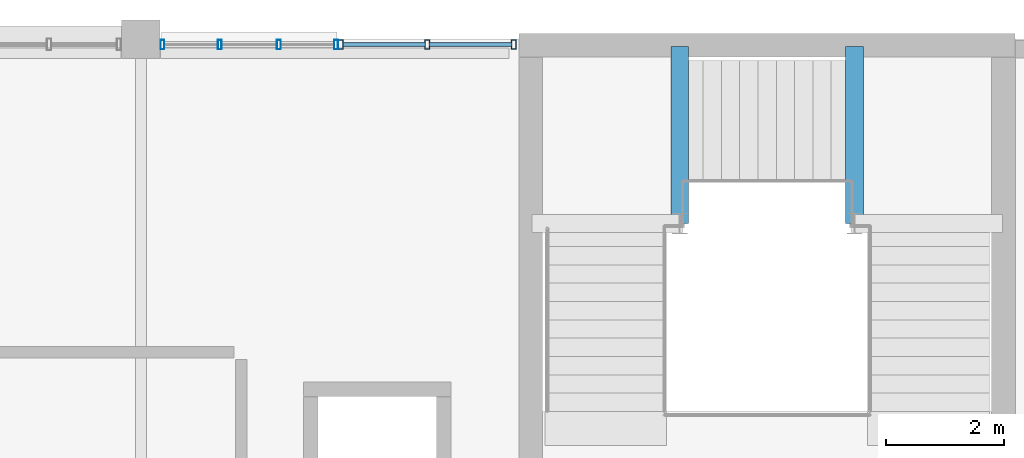
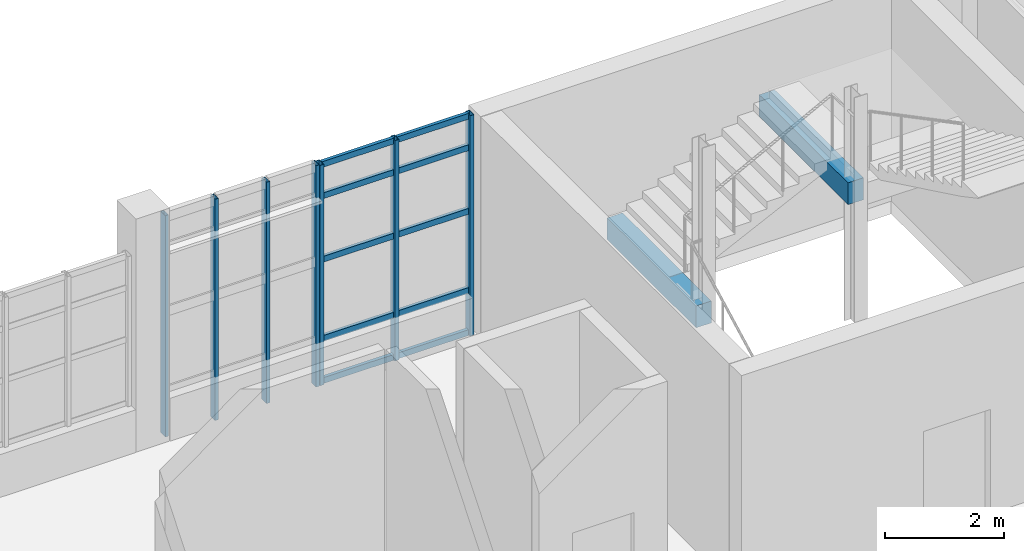
# One storey, part 47 of 100: 17 members, 2 beams, 2 elements without a shape of their own.
"""IFC4 building model written with IfcOpenShell, lengths in metres."""

from ifc_helpers import new_model, si_unit, derived_unit, direction, frame, origin, origin_2d, place, context, subcontext, project, spatial, rectangle, hollow_rectangle, extrude, material, layer, layer_set, material_profile, profile_set, type_object, element, aggregate, save


model = new_model("IFC4")

# Units and contexts
model_context = context("Model", 3, precision=1e-05, world=origin(), true_north=direction((0.0, 1.0)))
body_context = subcontext(model_context, "Body", "Model", "MODEL_VIEW")
ifc_project = project(units=[si_unit("LENGTHUNIT", "METRE"), si_unit("AREAUNIT", "SQUARE_METRE"), si_unit("VOLUMEUNIT", "CUBIC_METRE"), si_unit("PLANEANGLEUNIT", "RADIAN"), si_unit("MASSUNIT", "GRAM", prefix="KILO"), derived_unit("THERMALTRANSMITTANCEUNIT", [(si_unit("POWERUNIT", "WATT"), 1), (si_unit("LENGTHUNIT", "METRE"), -2), (si_unit("THERMODYNAMICTEMPERATUREUNIT", "KELVIN"), -1)])], contexts=[model_context])

# Site, building, storey
site_placement = place(None, origin())
site = spatial("IfcSite", under=ifc_project, at=site_placement, CompositionType="ELEMENT")
building_placement = place(site_placement, origin())
building = spatial("IfcBuilding", under=site, at=building_placement, Name="Nallur Shell Playhouse", CompositionType="ELEMENT")
storey_placement = place(building_placement, frame((0.0, 0.0, 10.199951171875)))
storey = spatial("IfcBuildingStorey", under=building, at=storey_placement, Name="L03", CompositionType="ELEMENT", Elevation=10.199951171875)

# Beams
ifc_material_1 = material(Name="Concrete M35", Category="concrete")
ifc_material_profile_1 = material_profile(ifc_material_1, rectangle(XDim=0.300048828125, YDim=0.449951171875, at=origin_2d()), Name="RC 300x450")
ifc_profile_set_1 = profile_set([ifc_material_profile_1], Name="Concrete M35")
beam_type = type_object("IfcBeamType", Name="BM-SPN-300x450", PredefinedType="SPANDREL", material=ifc_profile_set_1)
for number, where, z_axis, x_axis, name in (
    (1, (57.1201171875, 79.8798828125, 1.22509765625), (0.0, 1.0, 0.0), (-1.0, 0.0, 0.0), "Stair ST-03-L03 L1 east bearer beam"),
    (2, (60.080078125, 79.8798828125, 2.72509765625), (0.0, 1.0, 0.0), (-1.0, 0.0, 0.0), "Stair ST-03-L03 L2 west bearer beam"),
):
    element("IfcBeam", number, at=place(storey_placement, frame(where, z_axis=z_axis, x_axis=x_axis)), inside=storey, type_object=beam_type, Name=name, PredefinedType="SPANDREL", context=body_context, shape_type="SweptSolid", body=[
        extrude(rectangle(XDim=0.300048828125, YDim=0.449951171875, at=origin_2d()), origin(), (0.0, 0.0, 1.0), 3.0),
    ])

# Curtain wall, members
ifc_material_2 = material(Name="Anodised Aluminium Double-Glazed Facade System", Category="aluminium")
ifc_layer_1 = layer(ifc_material_2, 0.1640625)
ifc_layer_set_1 = layer_set([ifc_layer_1], Name="Anodised Aluminium Double-Glazed Facade System")
curtain_wall_type_1 = type_object("IfcCurtainWallType", Name="CW-UNIT-13", PredefinedType="NOTDEFINED", material=ifc_layer_set_1)
curtain_wall_1_placement = place(storey_placement, origin())
curtain_wall_1 = element("IfcCurtainWall", 3, at=curtain_wall_1_placement, inside=storey, type_object=curtain_wall_type_1, Name="Unitised curtain wall CW-077 (L03)", PredefinedType="NOTDEFINED")
ifc_material_3 = material(Name="Aluminium Alloy 6063-T6 Mullion", Category="aluminium")
ifc_material_profile_2 = material_profile(ifc_material_3, hollow_rectangle(XDim=0.080078125, YDim=0.159912109375, WallThickness=0.006103515625, at=origin_2d()), Name="RHS 160x80x6")
ifc_profile_set_2 = profile_set([ifc_material_profile_2], Name="Aluminium Alloy 6063-T6 Mullion")
member_type_1 = type_object("IfcMemberType", Name="MB-CW-MUL150", PredefinedType="MULLION", material=ifc_profile_set_2)
member_1_placement = place(storey_placement, frame((51.386474609375, 82.909912109375, -0.014892578125), z_axis=(0.0, 0.0, 1.0), x_axis=(1.0, 0.0, 0.0)))
member_1 = element("IfcMember", 4, at=member_1_placement, type_object=member_type_1, Name="CW-13 mullion 1", PredefinedType="MULLION", context=body_context, shape_type="SweptSolid", body=[
    extrude(hollow_rectangle(XDim=0.080078125, YDim=0.159912109375, WallThickness=0.006103515625, at=origin_2d()), origin(), (0.0, 0.0, 1.0), 4.5390625),
])
member_2_placement = place(storey_placement, frame((52.84814453125, 82.909912109375, -0.014892578125), z_axis=(0.0, 0.0, 1.0), x_axis=(1.0, 0.0, 0.0)))
member_2 = element("IfcMember", 5, at=member_2_placement, type_object=member_type_1, Name="CW-13 mullion 2", PredefinedType="MULLION", context=body_context, shape_type="SweptSolid", body=[
    extrude(hollow_rectangle(XDim=0.080078125, YDim=0.159912109375, WallThickness=0.006103515625, at=origin_2d()), origin(), (0.0, 0.0, 1.0), 4.5390625),
])
member_3_placement = place(storey_placement, frame((54.31005859375, 82.909912109375, -0.014892578125), z_axis=(0.0, 0.0, 1.0), x_axis=(1.0, 0.0, 0.0)))
member_3 = element("IfcMember", 6, at=member_3_placement, type_object=member_type_1, Name="CW-13 mullion 3", PredefinedType="MULLION", context=body_context, shape_type="SweptSolid", body=[
    extrude(hollow_rectangle(XDim=0.080078125, YDim=0.159912109375, WallThickness=0.006103515625, at=origin_2d()), origin(), (0.0, 0.0, 1.0), 4.5390625),
])

ifc_layer_2 = layer(ifc_material_2, 0.159912109375)
ifc_layer_set_2 = layer_set([ifc_layer_2], Name="Anodised Aluminium Double-Glazed Facade System")
curtain_wall_type_2 = type_object("IfcCurtainWallType", Name="CW-UNIT-12", PredefinedType="NOTDEFINED", material=ifc_layer_set_2)
curtain_wall_2_placement = place(storey_placement, origin())
curtain_wall_2 = element("IfcCurtainWall", 7, at=curtain_wall_2_placement, inside=storey, type_object=curtain_wall_type_2, Name="Unitised curtain wall CW-076 (L03)", PredefinedType="NOTDEFINED")
ifc_material_profile_3 = material_profile(ifc_material_3, hollow_rectangle(XDim=0.06494140625, YDim=0.159912109375, WallThickness=0.00390625, at=origin_2d()), Name="ALU 65x160x4")
ifc_profile_set_3 = profile_set([ifc_material_profile_3], Name="Aluminium Alloy 6063-T6 Mullion")
member_type_2 = type_object("IfcMemberType", Name="MB-CW-MUL160", PredefinedType="MULLION", material=ifc_profile_set_3)
member_4_placement = place(storey_placement, frame((48.365478515625, 82.909912109375, -0.014892578125), z_axis=(0.0, 0.0, 1.0), x_axis=(1.0, 0.0, 0.0)))
member_4 = element("IfcMember", 8, at=member_4_placement, type_object=member_type_2, Name="CW-12 mullion 1", PredefinedType="MULLION", context=body_context, shape_type="SweptSolid", body=[
    extrude(hollow_rectangle(XDim=0.06494140625, YDim=0.159912109375, WallThickness=0.00390625, at=origin_2d()), origin(), (0.0, 0.0, 1.0), 4.558837890625),
])
member_5_placement = place(storey_placement, frame((49.334228515625, 82.909912109375, -0.014892578125), z_axis=(0.0, 0.0, 1.0), x_axis=(1.0, 0.0, 0.0)))
member_5 = element("IfcMember", 9, at=member_5_placement, type_object=member_type_2, Name="CW-12 mullion 2", PredefinedType="MULLION", context=body_context, shape_type="SweptSolid", body=[
    extrude(hollow_rectangle(XDim=0.06494140625, YDim=0.159912109375, WallThickness=0.00390625, at=origin_2d()), origin(), (0.0, 0.0, 1.0), 4.558837890625),
])
member_6_placement = place(storey_placement, frame((50.33544921875, 82.909912109375, -0.014892578125), z_axis=(0.0, 0.0, 1.0), x_axis=(1.0, 0.0, 0.0)))
member_6 = element("IfcMember", 10, at=member_6_placement, type_object=member_type_2, Name="CW-12 mullion 3", PredefinedType="MULLION", context=body_context, shape_type="SweptSolid", body=[
    extrude(hollow_rectangle(XDim=0.06494140625, YDim=0.159912109375, WallThickness=0.00390625, at=origin_2d()), origin(), (0.0, 0.0, 1.0), 4.558837890625),
])
member_7_placement = place(storey_placement, frame((51.303955078125, 82.909912109375, -0.014892578125), z_axis=(0.0, 0.0, 1.0), x_axis=(1.0, 0.0, 0.0)))
member_7 = element("IfcMember", 11, at=member_7_placement, type_object=member_type_2, Name="CW-12 mullion 4", PredefinedType="MULLION", context=body_context, shape_type="SweptSolid", body=[
    extrude(hollow_rectangle(XDim=0.06494140625, YDim=0.159912109375, WallThickness=0.00390625, at=origin_2d()), origin(), (0.0, 0.0, 1.0), 4.558837890625),
])
aggregate(curtain_wall_2, [member_4, member_5, member_6, member_7])

# Member
ifc_material_4 = material(Name="Aluminium Alloy 6063-T6 Transom", Category="aluminium")
ifc_material_profile_4 = material_profile(ifc_material_4, hollow_rectangle(XDim=0.06494140625, YDim=0.1201171875, WallThickness=0.00390625, at=origin_2d()), Name="ALU 65x120x4")
ifc_profile_set_4 = profile_set([ifc_material_profile_4], Name="Aluminium Alloy 6063-T6 Transom")
member_type_3 = type_object("IfcMemberType", Name="MB-CW-TRN120", PredefinedType="USERDEFINED", material=ifc_profile_set_4)
member_8_placement = place(storey_placement, frame((51.41845703125, 82.909912109375, 0.032470703125), z_axis=(1.0, 0.0, 0.0), x_axis=(0.0, 1.0, 0.0)))
member_8 = element("IfcMember", 12, at=member_8_placement, type_object=member_type_3, Name="CW-13 transom 1.1", ObjectType="TRANSOM", PredefinedType="USERDEFINED", context=body_context, shape_type="SweptSolid", body=[
    extrude(hollow_rectangle(XDim=0.06494140625, YDim=0.1201171875, WallThickness=0.00390625, at=origin_2d()), origin(), (0.0, 0.0, 1.0), 1.397705078125),
])

member_9_placement = place(storey_placement, frame((51.41845703125, 82.909912109375, 0.900146484375), z_axis=(1.0, 0.0, 0.0), x_axis=(0.0, 1.0, 0.0)))
member_9 = element("IfcMember", 13, at=member_9_placement, type_object=member_type_3, Name="CW-13 transom 1.2", ObjectType="TRANSOM", PredefinedType="USERDEFINED", context=body_context, shape_type="SweptSolid", body=[
    extrude(hollow_rectangle(XDim=0.06494140625, YDim=0.1201171875, WallThickness=0.00390625, at=origin_2d()), origin(), (0.0, 0.0, 1.0), 1.397705078125),
])

member_10_placement = place(storey_placement, frame((51.41845703125, 82.909912109375, 2.531005859375), z_axis=(1.0, 0.0, 0.0), x_axis=(0.0, 1.0, 0.0)))
member_10 = element("IfcMember", 14, at=member_10_placement, type_object=member_type_3, Name="CW-13 transom 1.3", ObjectType="TRANSOM", PredefinedType="USERDEFINED", context=body_context, shape_type="SweptSolid", body=[
    extrude(hollow_rectangle(XDim=0.06494140625, YDim=0.1201171875, WallThickness=0.00390625, at=origin_2d()), origin(), (0.0, 0.0, 1.0), 1.397705078125),
])

member_11_placement = place(storey_placement, frame((51.41845703125, 82.909912109375, 3.840087890625), z_axis=(1.0, 0.0, 0.0), x_axis=(0.0, 1.0, 0.0)))
member_11 = element("IfcMember", 15, at=member_11_placement, type_object=member_type_3, Name="CW-13 transom 1.4", ObjectType="TRANSOM", PredefinedType="USERDEFINED", context=body_context, shape_type="SweptSolid", body=[
    extrude(hollow_rectangle(XDim=0.06494140625, YDim=0.1201171875, WallThickness=0.00390625, at=origin_2d()), origin(), (0.0, 0.0, 1.0), 1.397705078125),
])

member_12_placement = place(storey_placement, frame((51.41845703125, 82.909912109375, 4.487548828125), z_axis=(1.0, 0.0, 0.0), x_axis=(0.0, 1.0, 0.0)))
member_12 = element("IfcMember", 16, at=member_12_placement, type_object=member_type_3, Name="CW-13 transom 1.5", ObjectType="TRANSOM", PredefinedType="USERDEFINED", context=body_context, shape_type="SweptSolid", body=[
    extrude(hollow_rectangle(XDim=0.06494140625, YDim=0.1201171875, WallThickness=0.00390625, at=origin_2d()), origin(), (0.0, 0.0, 1.0), 1.397705078125),
])

member_13_placement = place(storey_placement, frame((52.88037109375, 82.909912109375, 0.032470703125), z_axis=(1.0, 0.0, 0.0), x_axis=(0.0, 1.0, 0.0)))
member_13 = element("IfcMember", 17, at=member_13_placement, type_object=member_type_3, Name="CW-13 transom 2.1", ObjectType="TRANSOM", PredefinedType="USERDEFINED", context=body_context, shape_type="SweptSolid", body=[
    extrude(hollow_rectangle(XDim=0.06494140625, YDim=0.1201171875, WallThickness=0.00390625, at=origin_2d()), origin(), (0.0, 0.0, 1.0), 1.397705078125),
])

member_14_placement = place(storey_placement, frame((52.88037109375, 82.909912109375, 0.900146484375), z_axis=(1.0, 0.0, 0.0), x_axis=(0.0, 1.0, 0.0)))
member_14 = element("IfcMember", 18, at=member_14_placement, type_object=member_type_3, Name="CW-13 transom 2.2", ObjectType="TRANSOM", PredefinedType="USERDEFINED", context=body_context, shape_type="SweptSolid", body=[
    extrude(hollow_rectangle(XDim=0.06494140625, YDim=0.1201171875, WallThickness=0.00390625, at=origin_2d()), origin(), (0.0, 0.0, 1.0), 1.397705078125),
])

member_15_placement = place(storey_placement, frame((52.88037109375, 82.909912109375, 2.531005859375), z_axis=(1.0, 0.0, 0.0), x_axis=(0.0, 1.0, 0.0)))
member_15 = element("IfcMember", 19, at=member_15_placement, type_object=member_type_3, Name="CW-13 transom 2.3", ObjectType="TRANSOM", PredefinedType="USERDEFINED", context=body_context, shape_type="SweptSolid", body=[
    extrude(hollow_rectangle(XDim=0.06494140625, YDim=0.1201171875, WallThickness=0.00390625, at=origin_2d()), origin(), (0.0, 0.0, 1.0), 1.397705078125),
])

member_16_placement = place(storey_placement, frame((52.88037109375, 82.909912109375, 3.840087890625), z_axis=(1.0, 0.0, 0.0), x_axis=(0.0, 1.0, 0.0)))
member_16 = element("IfcMember", 20, at=member_16_placement, type_object=member_type_3, Name="CW-13 transom 2.4", ObjectType="TRANSOM", PredefinedType="USERDEFINED", context=body_context, shape_type="SweptSolid", body=[
    extrude(hollow_rectangle(XDim=0.06494140625, YDim=0.1201171875, WallThickness=0.00390625, at=origin_2d()), origin(), (0.0, 0.0, 1.0), 1.397705078125),
])

member_17_placement = place(storey_placement, frame((52.88037109375, 82.909912109375, 4.487548828125), z_axis=(1.0, 0.0, 0.0), x_axis=(0.0, 1.0, 0.0)))
member_17 = element("IfcMember", 21, at=member_17_placement, type_object=member_type_3, Name="CW-13 transom 2.5", ObjectType="TRANSOM", PredefinedType="USERDEFINED", context=body_context, shape_type="SweptSolid", body=[
    extrude(hollow_rectangle(XDim=0.06494140625, YDim=0.1201171875, WallThickness=0.00390625, at=origin_2d()), origin(), (0.0, 0.0, 1.0), 1.397705078125),
])

aggregate(curtain_wall_1, [member_1, member_2, member_3, member_8, member_9, member_10, member_11, member_12, member_13, member_14, member_15, member_16, member_17])

save(model, "model.ifc")
